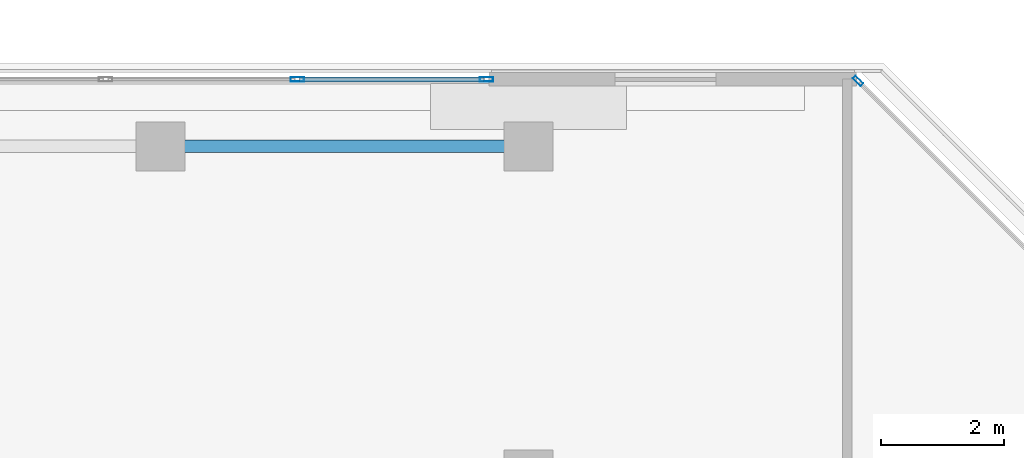
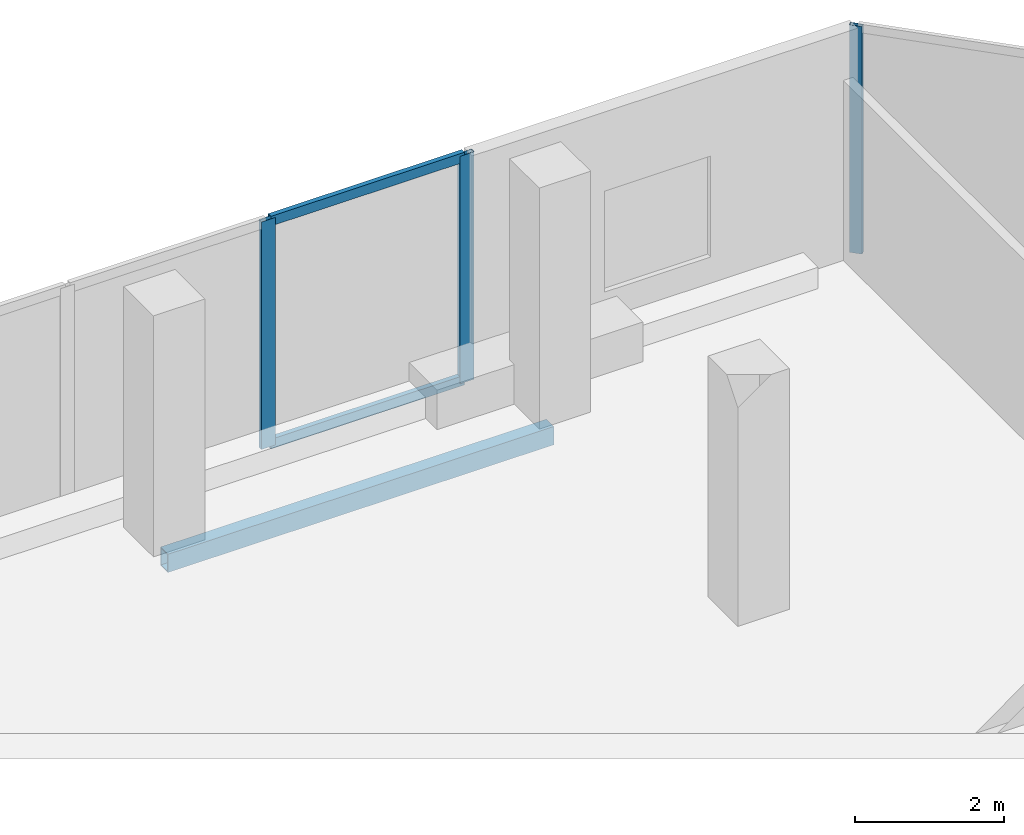
# One storey, part 18 of 26: 5 members, 1 beam, 2 elements without a shape of their own.
"""IFC4 building model written with IfcOpenShell, lengths in metres."""

from ifc_helpers import new_model, si_unit, direction, frame, origin, origin_2d, place, context, subcontext, project, spatial, hollow_rectangle, extrude, material, layer, layer_set, material_profile, profile_set, type_object, element, aggregate, save


model = new_model("IFC4")

# Units and contexts
model_context = context("Model", 3, precision=1e-05, world=origin(), true_north=direction((0.0, 1.0)))
body_context = subcontext(model_context, "Body", "Model", "MODEL_VIEW")
ifc_project = project(units=[si_unit("LENGTHUNIT", "METRE"), si_unit("AREAUNIT", "SQUARE_METRE"), si_unit("VOLUMEUNIT", "CUBIC_METRE"), si_unit("PLANEANGLEUNIT", "RADIAN"), si_unit("MASSUNIT", "GRAM", prefix="KILO")], contexts=[model_context])

# Site, building, storey
site_placement = place(None, origin())
site = spatial("IfcSite", under=ifc_project, at=site_placement, CompositionType="ELEMENT")
building_placement = place(site_placement, origin())
building = spatial("IfcBuilding", under=site, at=building_placement, Name="Tanjung Sevakor Pilgrim Tower", CompositionType="ELEMENT")
storey_placement = place(building_placement, frame((0.0, 0.0, 177.8701171875)))
storey = spatial("IfcBuildingStorey", under=building, at=storey_placement, Name="L49", CompositionType="ELEMENT", Elevation=177.8701171875)

# Beam
ifc_material_1 = material(Name="Steel S355J2", Category="steel")
ifc_material_profile_1 = material_profile(ifc_material_1, hollow_rectangle(XDim=0.199951171875, YDim=0.300048828125, WallThickness=0.012451171875, at=origin_2d()))
ifc_profile_set_1 = profile_set([ifc_material_profile_1], Name="Steel S355J2")
beam_type = type_object("IfcBeamType", Name="BM-B-SP3-RHS_300x200x12.5", PredefinedType="SPANDREL", material=ifc_profile_set_1)
beam_placement = place(storey_placement, frame((84.0, 53.949951171875, -0.43017578125), z_axis=(1.0, 0.0, 0.0), x_axis=(0.0, 1.0, 0.0)))
element("IfcBeam", 1, at=beam_placement, inside=storey, type_object=beam_type, Name="L49 Spandrel MAIN N-16", PredefinedType="SPANDREL", context=body_context, shape_type="SweptSolid", body=[
    extrude(hollow_rectangle(XDim=0.199951171875, YDim=0.300048828125, WallThickness=0.012451171875, at=origin_2d()), origin(), (0.0, 0.0, 1.0), 6.0),
])

# Curtain wall, member
ifc_material_2 = material(Name="Aluminium 6063-T6 and Low-E Glass", Category="aluminium")
ifc_layer_1 = layer(ifc_material_2, 0.179931640625)
ifc_layer_set_1 = layer_set([ifc_layer_1], Name="CW-SYS-CHAM")
curtain_wall_type_1 = type_object("IfcCurtainWallType", Name="CW-SYS-CHAM", PredefinedType="NOTDEFINED", material=ifc_layer_set_1)
curtain_wall_1_placement = place(storey_placement, origin())
curtain_wall_1 = element("IfcCurtainWall", 2, at=curtain_wall_1_placement, inside=storey, type_object=curtain_wall_type_1, Name="L49 Curtain Wall CW-CHM-L49-MAIN-7", PredefinedType="NOTDEFINED")
ifc_material_3 = material(Name="Aluminium 6063-T6", Category="aluminium")
ifc_material_profile_2 = material_profile(ifc_material_3, hollow_rectangle(XDim=0.06494140625, YDim=0.179931640625, WallThickness=0.00390625, at=origin_2d()))
ifc_profile_set_2 = profile_set([ifc_material_profile_2], Name="Aluminium 6063-T6")
member_type_1 = type_object("IfcMemberType", Name="TYPE-CWM-1", PredefinedType="MULLION", material=ifc_profile_set_2)
member_1_placement = place(storey_placement, frame((95.37744140625, 55.01708984375, 0.0), z_axis=(0.0, 0.0, 1.0), x_axis=(-0.707106781187, -0.707106781187, 0.0)))
member_1 = element("IfcMember", 3, at=member_1_placement, type_object=member_type_1, Name="CW-CHM mullion 2", PredefinedType="MULLION", context=body_context, shape_type="SweptSolid", body=[
    extrude(hollow_rectangle(XDim=0.06494140625, YDim=0.179931640625, WallThickness=0.00390625, at=origin_2d()), origin(), (0.0, 0.0, 1.0), 3.739990234375),
])
aggregate(curtain_wall_1, [member_1])

# Curtain wall, members
ifc_material_4 = material(Name="Aluminium 6063-T6 and Low-E Glass", Category="aluminium")
ifc_layer_2 = layer(ifc_material_4, 0.199951171875)
ifc_layer_set_2 = layer_set([ifc_layer_2], Name="CW-SYS-SKY")
curtain_wall_type_2 = type_object("IfcCurtainWallType", Name="CW-SYS-SKY", PredefinedType="NOTDEFINED", material=ifc_layer_set_2)
curtain_wall_2_placement = place(storey_placement, origin())
curtain_wall_2 = element("IfcCurtainWall", 4, at=curtain_wall_2_placement, inside=storey, type_object=curtain_wall_type_2, Name="L49 Curtain Wall CW-SKY-L49-N", PredefinedType="NOTDEFINED")
ifc_material_5 = material(Name="Aluminium 6063-T6", Category="aluminium")
ifc_material_profile_3 = material_profile(ifc_material_5, hollow_rectangle(XDim=0.074951171875, YDim=0.219970703125, WallThickness=0.0048828125, at=origin_2d()))
ifc_profile_set_3 = profile_set([ifc_material_profile_3], Name="Aluminium 6063-T6")
member_type_2 = type_object("IfcMemberType", Name="TYPE-CWM-2", PredefinedType="MULLION", material=ifc_profile_set_3)
member_2_placement = place(storey_placement, frame((89.31689453125, 55.0400390625, 0.0), z_axis=(0.0, 0.0, 1.0), x_axis=(0.0, -1.0, 0.0)))
member_2 = element("IfcMember", 5, at=member_2_placement, type_object=member_type_2, Name="CW-SKY mullion 1", PredefinedType="MULLION", context=body_context, shape_type="SweptSolid", body=[
    extrude(hollow_rectangle(XDim=0.074951171875, YDim=0.219970703125, WallThickness=0.0048828125, at=origin_2d()), origin(), (0.0, 0.0, 1.0), 3.739990234375),
])
member_3_placement = place(storey_placement, frame((86.22998046875, 55.0400390625, 0.0), z_axis=(0.0, 0.0, 1.0), x_axis=(0.0, -1.0, 0.0)))
member_3 = element("IfcMember", 6, at=member_3_placement, type_object=member_type_2, Name="CW-SKY mullion 2", PredefinedType="MULLION", context=body_context, shape_type="SweptSolid", body=[
    extrude(hollow_rectangle(XDim=0.074951171875, YDim=0.219970703125, WallThickness=0.0048828125, at=origin_2d()), origin(), (0.0, 0.0, 1.0), 3.739990234375),
])
ifc_material_6 = material(Name="Aluminium 6063-T6", Category="aluminium")
ifc_material_profile_4 = material_profile(ifc_material_6, hollow_rectangle(XDim=0.074951171875, YDim=0.159912109375, WallThickness=0.00439453125, at=origin_2d()))
ifc_profile_set_4 = profile_set([ifc_material_profile_4], Name="Aluminium 6063-T6")
member_type_3 = type_object("IfcMemberType", Name="TYPE-CWT-2", PredefinedType="USERDEFINED", material=ifc_profile_set_4)
member_4_placement = place(storey_placement, frame((89.279296875, 55.0400390625, 0.037353515625), z_axis=(-1.0, 0.0, 0.0), x_axis=(0.0, -1.0, 0.0)))
member_4 = element("IfcMember", 7, at=member_4_placement, type_object=member_type_3, Name="CW-SKY transom 1.1", ObjectType="TRANSOM", PredefinedType="USERDEFINED", context=body_context, shape_type="SweptSolid", body=[
    extrude(hollow_rectangle(XDim=0.074951171875, YDim=0.159912109375, WallThickness=0.00439453125, at=origin_2d()), origin(), (0.0, 0.0, 1.0), 3.01171875),
])
member_5_placement = place(storey_placement, frame((89.279296875, 55.0400390625, 3.702392578125), z_axis=(-1.0, 0.0, 0.0), x_axis=(0.0, -1.0, 0.0)))
member_5 = element("IfcMember", 8, at=member_5_placement, type_object=member_type_3, Name="CW-SKY transom 1.2", ObjectType="TRANSOM", PredefinedType="USERDEFINED", context=body_context, shape_type="SweptSolid", body=[
    extrude(hollow_rectangle(XDim=0.074951171875, YDim=0.159912109375, WallThickness=0.00439453125, at=origin_2d()), origin(), (0.0, 0.0, 1.0), 3.01171875),
])
aggregate(curtain_wall_2, [member_2, member_3, member_4, member_5])

save(model, "model.ifc")
